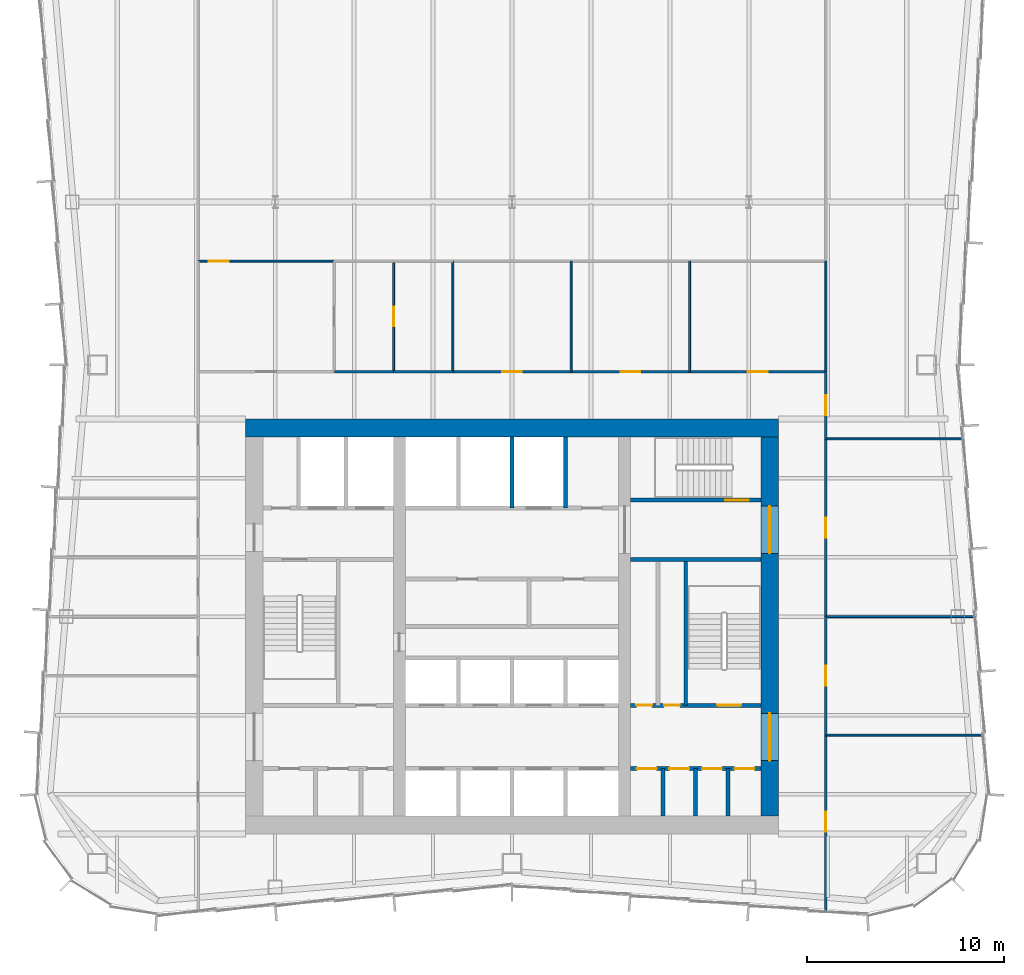
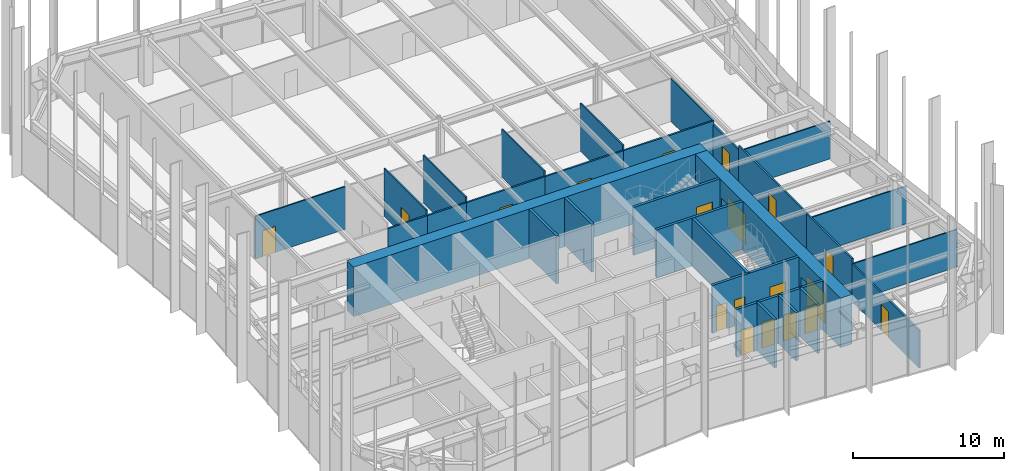
# One storey, part 11 of 13: 30 walls, 19 doors, 19 openings.
"""IFC4 building model written with IfcOpenShell, lengths in metres."""

from ifc_helpers import new_model, si_unit, direction, frame, frame_2d, origin, place, context, subcontext, project, spatial, rectangle, extrude, material, layer, layer_set, type_object, element, fill, save


model = new_model("IFC4")

# Units and contexts
model_context = context("Model", 3, precision=1e-05, world=origin(), true_north=direction((0.0, 1.0)))
body_context = subcontext(model_context, "Body", "Model", "MODEL_VIEW")
ifc_project = project(units=[si_unit("LENGTHUNIT", "METRE"), si_unit("AREAUNIT", "SQUARE_METRE"), si_unit("VOLUMEUNIT", "CUBIC_METRE"), si_unit("PLANEANGLEUNIT", "RADIAN"), si_unit("MASSUNIT", "GRAM", prefix="KILO")], contexts=[model_context])

# Site, building, storey
site_placement = place(None, origin())
site = spatial("IfcSite", under=ifc_project, at=site_placement, CompositionType="ELEMENT")
building_placement = place(site_placement, origin())
building = spatial("IfcBuilding", under=site, at=building_placement, Name="Verdant Reach Tower", CompositionType="ELEMENT")
storey_placement = place(building_placement, frame((0.0, 0.0, 194.0)))
storey = spatial("IfcBuildingStorey", under=building, at=storey_placement, Name="L44", CompositionType="ELEMENT", Elevation=194.0)

# Wall, openings, doors
ifc_material_1 = material(Name="Gypsum board on steel studs", Category="steel")
ifc_layer_1 = layer(ifc_material_1, 0.199951171875)
ifc_layer_set_1 = layer_set([ifc_layer_1], Name="CO-WALL-ROOM")
wall_type_1 = type_object("IfcWallType", Name="CO-WALL-ROOM", PredefinedType="PARTITIONING", material=ifc_layer_set_1)
wall_1_placement = place(storey_placement, frame((6.0, 20.800048828125, 0.0), z_axis=(0.0, 0.0, 1.0), x_axis=(1.0, 0.0, 0.0)))
wall_1 = element("IfcWall", 1, at=wall_1_placement, inside=storey, type_object=wall_type_1, Name="Core partition, L44", PredefinedType="PARTITIONING", context=body_context, shape_type="SweptSolid", body=[
    extrude(rectangle(XDim=6.60009765625, YDim=0.199951171875, at=frame_2d((3.300048828125, 0.0))), origin(), (0.0, 0.0, 1.0), 3.8701171875),
])
opening_1_placement = place(wall_1_placement, frame((0.324951171875, 0.0, 0.0)))
opening_1 = element("IfcOpeningElement", 2, at=opening_1_placement, cuts=wall_1, Name="Opening CD", PredefinedType="OPENING", context=body_context, shape_type="SweptSolid", body=[
    extrude(rectangle(XDim=1.0, YDim=2.10009765625, at=frame_2d((0.5, 1.050048828125))), frame((0.0, 0.10986328125, 0.0), z_axis=(0.0, -1.0, 0.0), x_axis=(1.0, 0.0, 0.0)), (0.0, 0.0, 1.0), 0.219970703125),
])
opening_2_placement = place(wall_1_placement, frame((1.97509765625, 0.0, 0.0)))
opening_2 = element("IfcOpeningElement", 3, at=opening_2_placement, cuts=wall_1, Name="Opening CD", PredefinedType="OPENING", context=body_context, shape_type="SweptSolid", body=[
    extrude(rectangle(XDim=1.0, YDim=2.10009765625, at=frame_2d((0.5, 1.050048828125))), frame((0.0, 0.10986328125, 0.0), z_axis=(0.0, -1.0, 0.0), x_axis=(1.0, 0.0, 0.0)), (0.0, 0.0, 1.0), 0.219970703125),
])
opening_3_placement = place(wall_1_placement, frame((3.625, 0.0, 0.0)))
opening_3 = element("IfcOpeningElement", 4, at=opening_3_placement, cuts=wall_1, Name="Opening CD", PredefinedType="OPENING", context=body_context, shape_type="SweptSolid", body=[
    extrude(rectangle(XDim=1.0, YDim=2.10009765625, at=frame_2d((0.5, 1.050048828125))), frame((0.0, 0.10986328125, 0.0), z_axis=(0.0, -1.0, 0.0), x_axis=(1.0, 0.0, 0.0)), (0.0, 0.0, 1.0), 0.219970703125),
])
opening_4_placement = place(wall_1_placement, frame((5.27490234375, 0.0, 0.0)))
opening_4 = element("IfcOpeningElement", 5, at=opening_4_placement, cuts=wall_1, Name="Opening CD", PredefinedType="OPENING", context=body_context, shape_type="SweptSolid", body=[
    extrude(rectangle(XDim=1.0, YDim=2.10009765625, at=frame_2d((0.5, 1.050048828125))), frame((0.0, 0.10986328125, 0.0), z_axis=(0.0, -1.0, 0.0), x_axis=(1.0, 0.0, 0.0)), (0.0, 0.0, 1.0), 0.219970703125),
])
ifc_material_2 = material(Name="Timber", Category="wood")
door_type_1 = type_object("IfcDoorType", Name="CO-DOOR-ROOM", OperationType="NOTDEFINED", PredefinedType="DOOR", material=ifc_material_2)
door_1_placement = place(opening_1_placement, origin())
door_1 = element("IfcDoor", 6, at=door_1_placement, inside=storey, type_object=door_type_1, Name="Core room door, L44", OperationType="SINGLE_SWING_LEFT", OverallHeight=2.10009765625, OverallWidth=1.0, PredefinedType="DOOR", context=body_context, shape_type="SweptSolid", body=[
    extrude(rectangle(XDim=1.0, YDim=2.10009765625, at=frame_2d((0.5, 1.050048828125))), frame((0.0, 0.02490234375, 0.0), z_axis=(0.0, -1.0, 0.0), x_axis=(1.0, 0.0, 0.0)), (0.0, 0.0, 1.0), 0.050048828125),
])
fill(opening_1, door_1)
door_2_placement = place(opening_2_placement, origin())
door_2 = element("IfcDoor", 7, at=door_2_placement, inside=storey, type_object=door_type_1, Name="Core room door, L44", OperationType="SINGLE_SWING_LEFT", OverallHeight=2.10009765625, OverallWidth=1.0, PredefinedType="DOOR", context=body_context, shape_type="SweptSolid", body=[
    extrude(rectangle(XDim=1.0, YDim=2.10009765625, at=frame_2d((0.5, 1.050048828125))), frame((0.0, 0.02490234375, 0.0), z_axis=(0.0, -1.0, 0.0), x_axis=(1.0, 0.0, 0.0)), (0.0, 0.0, 1.0), 0.050048828125),
])
fill(opening_2, door_2)
door_3_placement = place(opening_3_placement, origin())
door_3 = element("IfcDoor", 8, at=door_3_placement, inside=storey, type_object=door_type_1, Name="Core room door, L44", OperationType="SINGLE_SWING_RIGHT", OverallHeight=2.10009765625, OverallWidth=1.0, PredefinedType="DOOR", context=body_context, shape_type="SweptSolid", body=[
    extrude(rectangle(XDim=1.0, YDim=2.10009765625, at=frame_2d((0.5, 1.050048828125))), frame((0.0, 0.02490234375, 0.0), z_axis=(0.0, -1.0, 0.0), x_axis=(1.0, 0.0, 0.0)), (0.0, 0.0, 1.0), 0.050048828125),
])
fill(opening_3, door_3)
door_4_placement = place(opening_4_placement, origin())
door_4 = element("IfcDoor", 9, at=door_4_placement, inside=storey, type_object=door_type_1, Name="Core room door, L44", OperationType="SINGLE_SWING_RIGHT", OverallHeight=2.10009765625, OverallWidth=1.0, PredefinedType="DOOR", context=body_context, shape_type="SweptSolid", body=[
    extrude(rectangle(XDim=1.0, YDim=2.10009765625, at=frame_2d((0.5, 1.050048828125))), frame((0.0, 0.02490234375, 0.0), z_axis=(0.0, -1.0, 0.0), x_axis=(1.0, 0.0, 0.0)), (0.0, 0.0, 1.0), 0.050048828125),
])
fill(opening_4, door_4)

# Walls
for number, where, z_axis, x_axis, name in (
    (10, (7.64990234375, 18.39990234375, 0.0), (0.0, 0.0, 1.0), (0.0, 1.0, 0.0), "Core partition, L44"),
    (11, (9.300048828125, 18.39990234375, 0.0), (0.0, 0.0, 1.0), (0.0, 1.0, 0.0), "Core partition, L44"),
    (12, (10.949951171875, 18.39990234375, 0.0), (0.0, 0.0, 1.0), (0.0, 1.0, 0.0), "Core partition, L44"),
):
    element("IfcWall", number, at=place(storey_placement, frame(where, z_axis=z_axis, x_axis=x_axis)), inside=storey, type_object=wall_type_1, Name=name, PredefinedType="PARTITIONING", context=body_context, shape_type="SweptSolid", body=[
        extrude(rectangle(XDim=2.400146484375, YDim=0.199951171875, at=frame_2d((1.2001953125, 0.0))), origin(), (0.0, 0.0, 1.0), 3.8701171875),
    ])
ifc_material_3 = material(Name="Concrete C40/50", Category="concrete")
ifc_layer_2 = layer(ifc_material_3, 0.199951171875)
ifc_layer_set_2 = layer_set([ifc_layer_2], Name="CO-WALL-SHAFT")
wall_type_2 = type_object("IfcWallType", Name="CO-WALL-SHAFT", PredefinedType="PARTITIONING", material=ifc_layer_set_2)
for number, where, z_axis, x_axis, name in (
    (13, (0.0, 34.0, 0.0), (0.0, 0.0, 1.0), (0.0, 1.0, 0.0), "Lift shaft wall, L44"),
    (14, (2.699951171875, 34.0, 0.0), (0.0, 0.0, 1.0), (0.0, 1.0, 0.0), "Lift shaft wall, L44"),
):
    element("IfcWall", number, at=place(storey_placement, frame(where, z_axis=z_axis, x_axis=x_axis)), inside=storey, type_object=wall_type_2, Name=name, PredefinedType="PARTITIONING", context=body_context, shape_type="SweptSolid", body=[
        extrude(rectangle(XDim=3.60009765625, YDim=0.199951171875, at=frame_2d((1.800048828125, 0.0))), origin(), (0.0, 0.0, 1.0), 3.8701171875),
    ])

# Wall, openings, doors
ifc_layer_3 = layer(ifc_material_3, 0.199951171875)
ifc_layer_set_3 = layer_set([ifc_layer_3], Name="CO-WALL-STAIR")
wall_type_3 = type_object("IfcWallType", Name="CO-WALL-STAIR", PredefinedType="PARTITIONING", material=ifc_layer_set_3)
wall_2_placement = place(storey_placement, frame((6.0, 24.0, 0.0), z_axis=(0.0, 0.0, 1.0), x_axis=(1.0, 0.0, 0.0)))
wall_2 = element("IfcWall", 15, at=wall_2_placement, inside=storey, type_object=wall_type_3, Name="Stair enclosure wall, L44", PredefinedType="PARTITIONING", context=body_context, shape_type="SweptSolid", body=[
    extrude(rectangle(XDim=6.60009765625, YDim=0.199951171875, at=frame_2d((3.300048828125, 0.0))), origin(), (0.0, 0.0, 1.0), 3.8701171875),
])
opening_5_placement = place(wall_2_placement, frame((0.300048828125, 0.0, 0.0)))
opening_5 = element("IfcOpeningElement", 16, at=opening_5_placement, cuts=wall_2, Name="Opening CDN", PredefinedType="OPENING", context=body_context, shape_type="SweptSolid", body=[
    extrude(rectangle(XDim=0.800048828125, YDim=2.10009765625, at=frame_2d((0.39990234375, 1.050048828125))), frame((0.0, 0.10986328125, 0.0), z_axis=(0.0, -1.0, 0.0), x_axis=(1.0, 0.0, 0.0)), (0.0, 0.0, 1.0), 0.219970703125),
])
opening_6_placement = place(wall_2_placement, frame((1.699951171875, 0.0, 0.0)))
opening_6 = element("IfcOpeningElement", 17, at=opening_6_placement, cuts=wall_2, Name="Opening CDN", PredefinedType="OPENING", context=body_context, shape_type="SweptSolid", body=[
    extrude(rectangle(XDim=0.800048828125, YDim=2.10009765625, at=frame_2d((0.39990234375, 1.050048828125))), frame((0.0, 0.10986328125, 0.0), z_axis=(0.0, -1.0, 0.0), x_axis=(1.0, 0.0, 0.0)), (0.0, 0.0, 1.0), 0.219970703125),
])
opening_7_placement = place(wall_2_placement, frame((4.39990234375, 0.0, 0.0)))
opening_7 = element("IfcOpeningElement", 18, at=opening_7_placement, cuts=wall_2, Name="Opening SD", PredefinedType="OPENING", context=body_context, shape_type="SweptSolid", body=[
    extrude(rectangle(XDim=1.199951171875, YDim=2.199951171875, at=frame_2d((0.60009765625, 1.10009765625))), frame((0.0, 0.10986328125, 0.0), z_axis=(0.0, -1.0, 0.0), x_axis=(1.0, 0.0, 0.0)), (0.0, 0.0, 1.0), 0.219970703125),
])
door_type_2 = type_object("IfcDoorType", Name="CO-DOOR-ROOM-NARROW", OperationType="NOTDEFINED", PredefinedType="DOOR", material=ifc_material_2)
door_5_placement = place(opening_5_placement, origin())
door_5 = element("IfcDoor", 19, at=door_5_placement, inside=storey, type_object=door_type_2, Name="Core room door, L44", OperationType="SINGLE_SWING_LEFT", OverallHeight=2.10009765625, OverallWidth=0.800048828125, PredefinedType="DOOR", context=body_context, shape_type="SweptSolid", body=[
    extrude(rectangle(XDim=0.800048828125, YDim=2.10009765625, at=frame_2d((0.39990234375, 1.050048828125))), frame((0.0, 0.02490234375, 0.0), z_axis=(0.0, -1.0, 0.0), x_axis=(1.0, 0.0, 0.0)), (0.0, 0.0, 1.0), 0.050048828125),
])
fill(opening_5, door_5)
door_6_placement = place(opening_6_placement, origin())
door_6 = element("IfcDoor", 20, at=door_6_placement, inside=storey, type_object=door_type_2, Name="Core room door, L44", OperationType="SINGLE_SWING_RIGHT", OverallHeight=2.10009765625, OverallWidth=0.800048828125, PredefinedType="DOOR", context=body_context, shape_type="SweptSolid", body=[
    extrude(rectangle(XDim=0.800048828125, YDim=2.10009765625, at=frame_2d((0.39990234375, 1.050048828125))), frame((0.0, 0.02490234375, 0.0), z_axis=(0.0, -1.0, 0.0), x_axis=(1.0, 0.0, 0.0)), (0.0, 0.0, 1.0), 0.050048828125),
])
fill(opening_6, door_6)
ifc_material_4 = material(Name="Steel", Category="steel")
door_type_3 = type_object("IfcDoorType", Name="CO-DOOR-STAIR", OperationType="NOTDEFINED", PredefinedType="DOOR", material=ifc_material_4)
door_7_placement = place(opening_7_placement, origin())
door_7 = element("IfcDoor", 21, at=door_7_placement, inside=storey, type_object=door_type_3, Name="Stair door, L44", OperationType="SINGLE_SWING_LEFT", OverallHeight=2.199951171875, OverallWidth=1.199951171875, PredefinedType="DOOR", context=body_context, shape_type="SweptSolid", body=[
    extrude(rectangle(XDim=1.199951171875, YDim=2.199951171875, at=frame_2d((0.60009765625, 1.10009765625))), frame((0.0, 0.02490234375, 0.0), z_axis=(0.0, -1.0, 0.0), x_axis=(1.0, 0.0, 0.0)), (0.0, 0.0, 1.0), 0.050048828125),
])
fill(opening_7, door_7)

# Wall
wall_3_placement = place(storey_placement, frame((6.0, 31.39990234375, 0.0), z_axis=(0.0, 0.0, 1.0), x_axis=(1.0, 0.0, 0.0)))
element("IfcWall", 22, at=wall_3_placement, inside=storey, type_object=wall_type_3, Name="Stair enclosure wall, L44", PredefinedType="PARTITIONING", context=body_context, shape_type="SweptSolid", body=[
    extrude(rectangle(XDim=6.60009765625, YDim=0.199951171875, at=frame_2d((3.300048828125, 0.0))), origin(), (0.0, 0.0, 1.0), 3.8701171875),
])

# Wall, opening, door
wall_4_placement = place(storey_placement, frame((6.0, 34.39990234375, 0.0), z_axis=(0.0, 0.0, 1.0), x_axis=(1.0, 0.0, 0.0)))
wall_4 = element("IfcWall", 23, at=wall_4_placement, inside=storey, type_object=wall_type_3, Name="Stair enclosure wall, L44", PredefinedType="PARTITIONING", context=body_context, shape_type="SweptSolid", body=[
    extrude(rectangle(XDim=6.60009765625, YDim=0.199951171875, at=frame_2d((3.300048828125, 0.0))), origin(), (0.0, 0.0, 1.0), 3.8701171875),
])
opening_8_placement = place(wall_4_placement, frame((4.800048828125, 0.0, 0.0)))
opening_8 = element("IfcOpeningElement", 24, at=opening_8_placement, cuts=wall_4, Name="Opening SD", PredefinedType="OPENING", context=body_context, shape_type="SweptSolid", body=[
    extrude(rectangle(XDim=1.199951171875, YDim=2.199951171875, at=frame_2d((0.60009765625, 1.10009765625))), frame((0.0, 0.10986328125, 0.0), z_axis=(0.0, -1.0, 0.0), x_axis=(1.0, 0.0, 0.0)), (0.0, 0.0, 1.0), 0.219970703125),
])
door_8_placement = place(opening_8_placement, origin())
door_8 = element("IfcDoor", 25, at=door_8_placement, inside=storey, type_object=door_type_3, Name="Stair door, L44", OperationType="SINGLE_SWING_RIGHT", OverallHeight=2.199951171875, OverallWidth=1.199951171875, PredefinedType="DOOR", context=body_context, shape_type="SweptSolid", body=[
    extrude(rectangle(XDim=1.199951171875, YDim=2.199951171875, at=frame_2d((0.60009765625, 1.10009765625))), frame((0.0, 0.02490234375, 0.0), z_axis=(0.0, -1.0, 0.0), x_axis=(1.0, 0.0, 0.0)), (0.0, 0.0, 1.0), 0.050048828125),
])
fill(opening_8, door_8)

# Wall
wall_5_placement = place(storey_placement, frame((8.800048828125, 24.0, 0.0), z_axis=(0.0, 0.0, 1.0), x_axis=(0.0, 1.0, 0.0)))
element("IfcWall", 26, at=wall_5_placement, inside=storey, type_object=wall_type_3, Name="Stair enclosure wall, L44", PredefinedType="PARTITIONING", context=body_context, shape_type="SweptSolid", body=[
    extrude(rectangle(XDim=7.39990234375, YDim=0.199951171875, at=frame_2d((3.699951171875, 0.0))), origin(), (0.0, 0.0, 1.0), 3.8701171875),
])

# Wall, opening, door
ifc_layer_4 = layer(ifc_material_1, 0.10009765625)
ifc_layer_set_4 = layer_set([ifc_layer_4], Name="FL-W1 Partition 100")
wall_type_4 = type_object("IfcWallType", Name="FL-W1 Partition 100", PredefinedType="PARTITIONING", material=ifc_layer_set_4)
wall_6_placement = place(storey_placement, frame((-15.89990234375, 46.5, 0.0), z_axis=(0.0, 0.0, 1.0), x_axis=(1.0, 0.0, 0.0)))
wall_6 = element("IfcWall", 27, at=wall_6_placement, inside=storey, type_object=wall_type_4, Name="Partition 44.17", PredefinedType="PARTITIONING", context=body_context, shape_type="SweptSolid", body=[
    extrude(rectangle(XDim=6.90380859375, YDim=0.10009765625, at=frame_2d((3.451904296875, 0.0))), origin(), (0.0, 0.0, 1.0), 3.43994140625),
])
opening_9_placement = place(wall_6_placement, frame((0.552001953125, 0.0, 0.0)))
opening_9 = element("IfcOpeningElement", 28, at=opening_9_placement, cuts=wall_6, Name="Opening D3", PredefinedType="OPENING", context=body_context, shape_type="SweptSolid", body=[
    extrude(rectangle(XDim=1.0, YDim=2.10009765625, at=frame_2d((0.5, 1.050048828125))), frame((0.0, 0.06005859375, 0.0), z_axis=(0.0, -1.0, 0.0), x_axis=(1.0, 0.0, 0.0)), (0.0, 0.0, 1.0), 0.1201171875),
])
ifc_material_5 = material(Name="Painted timber door leaf", Category="wood")
door_type_4 = type_object("IfcDoorType", Name="FL-D3 Door 1000x2100", OperationType="NOTDEFINED", PredefinedType="DOOR", material=ifc_material_5)
door_9_placement = place(opening_9_placement, origin())
door_9 = element("IfcDoor", 29, at=door_9_placement, inside=storey, type_object=door_type_4, Name="Door 44-015", OperationType="SINGLE_SWING_LEFT", OverallHeight=2.10009765625, OverallWidth=1.0, PredefinedType="DOOR", context=body_context, shape_type="SweptSolid", body=[
    extrude(rectangle(XDim=1.0, YDim=2.10009765625, at=frame_2d((0.5, 1.050048828125))), frame((0.0, 0.02490234375, 0.0), z_axis=(0.0, -1.0, 0.0), x_axis=(1.0, 0.0, 0.0)), (0.0, 0.0, 1.0), 0.050048828125),
])
fill(opening_9, door_9)

wall_7_placement = place(storey_placement, frame((-6.0, 46.5, 0.0), z_axis=(0.0, 0.0, 1.0), x_axis=(0.0, -1.0, 0.0)))
wall_7 = element("IfcWall", 30, at=wall_7_placement, inside=storey, type_object=wall_type_4, Name="Partition 44.19", PredefinedType="PARTITIONING", context=body_context, shape_type="SweptSolid", body=[
    extrude(rectangle(XDim=5.60009765625, YDim=0.10009765625, at=frame_2d((2.800048828125, 0.0))), origin(), (0.0, 0.0, 1.0), 3.8701171875),
])
opening_10_placement = place(wall_7_placement, frame((2.300048828125, 0.0, 0.0)))
opening_10 = element("IfcOpeningElement", 31, at=opening_10_placement, cuts=wall_7, Name="Opening D3", PredefinedType="OPENING", context=body_context, shape_type="SweptSolid", body=[
    extrude(rectangle(XDim=1.0, YDim=2.10009765625, at=frame_2d((0.5, 1.050048828125))), frame((0.0, 0.06005859375, 0.0), z_axis=(0.0, -1.0, 0.0), x_axis=(1.0, 0.0, 0.0)), (0.0, 0.0, 1.0), 0.1201171875),
])
door_10_placement = place(opening_10_placement, origin())
door_10 = element("IfcDoor", 32, at=door_10_placement, inside=storey, type_object=door_type_4, Name="Door 44-016", OperationType="SINGLE_SWING_RIGHT", OverallHeight=2.10009765625, OverallWidth=1.0, PredefinedType="DOOR", context=body_context, shape_type="SweptSolid", body=[
    extrude(rectangle(XDim=1.0, YDim=2.10009765625, at=frame_2d((0.5, 1.050048828125))), frame((0.0, 0.02490234375, 0.0), z_axis=(0.0, -1.0, 0.0), x_axis=(1.0, 0.0, 0.0)), (0.0, 0.0, 1.0), 0.050048828125),
])
fill(opening_10, door_10)

# Walls
for number, where, z_axis, x_axis, name in (
    (33, (-3.0, 40.89990234375, 0.0), (0.0, 0.0, 1.0), (0.0, 1.0, 0.0), "Partition 44.21"),
    (34, (3.0, 40.89990234375, 0.0), (0.0, 0.0, 1.0), (0.0, 1.0, 0.0), "Partition 44.23"),
    (35, (9.0, 40.89990234375, 0.0), (0.0, 0.0, 1.0), (0.0, 1.0, 0.0), "Partition 44.25"),
):
    element("IfcWall", number, at=place(storey_placement, frame(where, z_axis=z_axis, x_axis=x_axis)), inside=storey, type_object=wall_type_4, Name=name, PredefinedType="PARTITIONING", context=body_context, shape_type="SweptSolid", body=[
        extrude(rectangle(XDim=5.60009765625, YDim=0.10009765625, at=frame_2d((2.800048828125, 0.0))), origin(), (0.0, 0.0, 1.0), 3.8701171875),
    ])
wall_8_placement = place(storey_placement, frame((15.89990234375, 40.89599609375, 0.0), z_axis=(0.0, 0.0, 1.0), x_axis=(0.0, 1.0, 0.0)))
element("IfcWall", 36, at=wall_8_placement, inside=storey, type_object=wall_type_4, Name="Partition 44.28", PredefinedType="PARTITIONING", context=body_context, shape_type="SweptSolid", body=[
    extrude(rectangle(XDim=5.60791015625, YDim=0.10009765625, at=frame_2d((2.803955078125, 0.0))), origin(), (0.0, 0.0, 1.0), 3.43994140625),
])
wall_9_placement = place(storey_placement, frame((23.873046875, 22.5, 0.0), z_axis=(0.0, 0.0, 1.0), x_axis=(-1.0, 0.0, 0.0)))
element("IfcWall", 37, at=wall_9_placement, inside=storey, type_object=wall_type_4, Name="Partition 44.44", PredefinedType="PARTITIONING", context=body_context, shape_type="SweptSolid", body=[
    extrude(rectangle(XDim=7.97314453125, YDim=0.10009765625, at=frame_2d((3.986572265625, 0.0))), origin(), (0.0, 0.0, 1.0), 3.0400390625),
])
wall_10_placement = place(storey_placement, frame((23.459228515625, 28.5, 0.0), z_axis=(0.0, 0.0, 1.0), x_axis=(-1.0, 0.0, 0.0)))
element("IfcWall", 38, at=wall_10_placement, inside=storey, type_object=wall_type_4, Name="Partition 44.45", PredefinedType="PARTITIONING", context=body_context, shape_type="SweptSolid", body=[
    extrude(rectangle(XDim=7.559326171875, YDim=0.10009765625, at=frame_2d((3.77978515625, 0.0))), origin(), (0.0, 0.0, 1.0), 3.0400390625),
])
wall_11_placement = place(storey_placement, frame((22.838623046875, 37.5, 0.0), z_axis=(0.0, 0.0, 1.0), x_axis=(-1.0, 0.0, 0.0)))
element("IfcWall", 39, at=wall_11_placement, inside=storey, type_object=wall_type_4, Name="Partition 44.46", PredefinedType="PARTITIONING", context=body_context, shape_type="SweptSolid", body=[
    extrude(rectangle(XDim=6.938720703125, YDim=0.10009765625, at=frame_2d((3.46923828125, 0.0))), origin(), (0.0, 0.0, 1.0), 3.0400390625),
])
ifc_material_6 = material(Name="Gypsum board on steel studs, fire rated", Category="steel")
ifc_layer_5 = layer(ifc_material_6, 0.125)
ifc_layer_set_5 = layer_set([ifc_layer_5], Name="FL-W2 Corridor wall 125")
wall_type_5 = type_object("IfcWallType", Name="FL-W2 Corridor wall 125", PredefinedType="PARTITIONING", material=ifc_layer_set_5)
for number, where, z_axis, x_axis, name in (
    (40, (-6.0, 40.89990234375, 0.0), (0.0, 0.0, 1.0), (-1.0, 0.0, 0.0), "Partition 44.02"),
    (41, (-3.0, 40.89990234375, 0.0), (0.0, 0.0, 1.0), (-1.0, 0.0, 0.0), "Partition 44.03"),
):
    element("IfcWall", number, at=place(storey_placement, frame(where, z_axis=z_axis, x_axis=x_axis)), inside=storey, type_object=wall_type_5, Name=name, PredefinedType="PARTITIONING", context=body_context, shape_type="SweptSolid", body=[
        extrude(rectangle(XDim=3.0, YDim=0.125, at=frame_2d((1.5, 0.0))), origin(), (0.0, 0.0, 1.0), 3.43994140625),
    ])

# Wall, opening, door
wall_12_placement = place(storey_placement, frame((-3.0, 40.89990234375, 0.0), z_axis=(0.0, 0.0, 1.0), x_axis=(1.0, 0.0, 0.0)))
wall_12 = element("IfcWall", 42, at=wall_12_placement, inside=storey, type_object=wall_type_5, Name="Partition 44.04", PredefinedType="PARTITIONING", context=body_context, shape_type="SweptSolid", body=[
    extrude(rectangle(XDim=6.0, YDim=0.125, at=frame_2d((3.0, 0.0))), origin(), (0.0, 0.0, 1.0), 3.43994140625),
])
opening_11_placement = place(wall_12_placement, frame((2.5, 0.0, 0.0)))
opening_11 = element("IfcOpeningElement", 43, at=opening_11_placement, cuts=wall_12, Name="Opening D2", PredefinedType="OPENING", context=body_context, shape_type="SweptSolid", body=[
    extrude(rectangle(XDim=1.0, YDim=2.10009765625, at=frame_2d((0.5, 1.050048828125))), frame((0.0, 0.072509765625, 0.0), z_axis=(0.0, -1.0, 0.0), x_axis=(1.0, 0.0, 0.0)), (0.0, 0.0, 1.0), 0.14501953125),
])
ifc_material_7 = material(Name="Timber door leaf, fire rated", Category="wood")
door_type_5 = type_object("IfcDoorType", Name="FL-D2 Entrance door 1000x2100 FD30", OperationType="NOTDEFINED", PredefinedType="DOOR", material=ifc_material_7)
door_11_placement = place(opening_11_placement, origin())
door_11 = element("IfcDoor", 44, at=door_11_placement, inside=storey, type_object=door_type_5, Name="Door 44-002", OperationType="SINGLE_SWING_RIGHT", OverallHeight=2.10009765625, OverallWidth=1.0, PredefinedType="DOOR", context=body_context, shape_type="SweptSolid", body=[
    extrude(rectangle(XDim=1.0, YDim=2.10009765625, at=frame_2d((0.5, 1.050048828125))), frame((0.0, 0.02490234375, 0.0), z_axis=(0.0, -1.0, 0.0), x_axis=(1.0, 0.0, 0.0)), (0.0, 0.0, 1.0), 0.050048828125),
])
fill(opening_11, door_11)

wall_13_placement = place(storey_placement, frame((3.0, 40.89990234375, 0.0), z_axis=(0.0, 0.0, 1.0), x_axis=(1.0, 0.0, 0.0)))
wall_13 = element("IfcWall", 45, at=wall_13_placement, inside=storey, type_object=wall_type_5, Name="Partition 44.05", PredefinedType="PARTITIONING", context=body_context, shape_type="SweptSolid", body=[
    extrude(rectangle(XDim=6.0, YDim=0.125, at=frame_2d((3.0, 0.0))), origin(), (0.0, 0.0, 1.0), 3.43994140625),
])
opening_12_placement = place(wall_13_placement, frame((2.5, 0.0, 0.0)))
opening_12 = element("IfcOpeningElement", 46, at=opening_12_placement, cuts=wall_13, Name="Opening D2", PredefinedType="OPENING", context=body_context, shape_type="SweptSolid", body=[
    extrude(rectangle(XDim=1.0, YDim=2.10009765625, at=frame_2d((0.5, 1.050048828125))), frame((0.0, 0.072509765625, 0.0), z_axis=(0.0, -1.0, 0.0), x_axis=(1.0, 0.0, 0.0)), (0.0, 0.0, 1.0), 0.14501953125),
])
door_12_placement = place(opening_12_placement, origin())
door_12 = element("IfcDoor", 47, at=door_12_placement, inside=storey, type_object=door_type_5, Name="Door 44-003", OperationType="SINGLE_SWING_LEFT", OverallHeight=2.10009765625, OverallWidth=1.0, PredefinedType="DOOR", context=body_context, shape_type="SweptSolid", body=[
    extrude(rectangle(XDim=1.0, YDim=2.10009765625, at=frame_2d((0.5, 1.050048828125))), frame((0.0, 0.02490234375, 0.0), z_axis=(0.0, -1.0, 0.0), x_axis=(1.0, 0.0, 0.0)), (0.0, 0.0, 1.0), 0.050048828125),
])
fill(opening_12, door_12)

wall_14_placement = place(storey_placement, frame((9.0, 40.89990234375, 0.0), z_axis=(0.0, 0.0, 1.0), x_axis=(1.0, 0.0, 0.0)))
wall_14 = element("IfcWall", 48, at=wall_14_placement, inside=storey, type_object=wall_type_5, Name="Partition 44.06", PredefinedType="PARTITIONING", context=body_context, shape_type="SweptSolid", body=[
    extrude(rectangle(XDim=6.89990234375, YDim=0.125, at=frame_2d((3.449951171875, 0.0))), origin(), (0.0, 0.0, 1.0), 3.43994140625),
])
opening_13_placement = place(wall_14_placement, frame((2.949951171875, 0.0, 0.0)))
opening_13 = element("IfcOpeningElement", 49, at=opening_13_placement, cuts=wall_14, Name="Opening D2", PredefinedType="OPENING", context=body_context, shape_type="SweptSolid", body=[
    extrude(rectangle(XDim=1.0, YDim=2.10009765625, at=frame_2d((0.5, 1.050048828125))), frame((0.0, 0.072509765625, 0.0), z_axis=(0.0, -1.0, 0.0), x_axis=(1.0, 0.0, 0.0)), (0.0, 0.0, 1.0), 0.14501953125),
])
door_13_placement = place(opening_13_placement, origin())
door_13 = element("IfcDoor", 50, at=door_13_placement, inside=storey, type_object=door_type_5, Name="Door 44-004", OperationType="SINGLE_SWING_RIGHT", OverallHeight=2.10009765625, OverallWidth=1.0, PredefinedType="DOOR", context=body_context, shape_type="SweptSolid", body=[
    extrude(rectangle(XDim=1.0, YDim=2.10009765625, at=frame_2d((0.5, 1.050048828125))), frame((0.0, 0.02490234375, 0.0), z_axis=(0.0, -1.0, 0.0), x_axis=(1.0, 0.0, 0.0)), (0.0, 0.0, 1.0), 0.050048828125),
])
fill(opening_13, door_13)

wall_15_placement = place(storey_placement, frame((15.89990234375, 22.5, 0.0), z_axis=(0.0, 0.0, 1.0), x_axis=(0.0, -1.0, 0.0)))
wall_15 = element("IfcWall", 51, at=wall_15_placement, inside=storey, type_object=wall_type_5, Name="Partition 44.12", PredefinedType="PARTITIONING", context=body_context, shape_type="SweptSolid", body=[
    extrude(rectangle(XDim=8.905029296875, YDim=0.125, at=frame_2d((4.45263671875, 0.0))), origin(), (0.0, 0.0, 1.0), 3.0400390625),
])
opening_14_placement = place(wall_15_placement, frame((3.887451171875, 0.0, 0.0)))
opening_14 = element("IfcOpeningElement", 52, at=opening_14_placement, cuts=wall_15, Name="Opening D2", PredefinedType="OPENING", context=body_context, shape_type="SweptSolid", body=[
    extrude(rectangle(XDim=1.0, YDim=2.10009765625, at=frame_2d((0.5, 1.050048828125))), frame((0.0, 0.072509765625, 0.0), z_axis=(0.0, -1.0, 0.0), x_axis=(1.0, 0.0, 0.0)), (0.0, 0.0, 1.0), 0.14501953125),
])
door_14_placement = place(opening_14_placement, origin())
door_14 = element("IfcDoor", 53, at=door_14_placement, inside=storey, type_object=door_type_5, Name="Door 44-010", OperationType="SINGLE_SWING_LEFT", OverallHeight=2.10009765625, OverallWidth=1.0, PredefinedType="DOOR", context=body_context, shape_type="SweptSolid", body=[
    extrude(rectangle(XDim=1.0, YDim=2.10009765625, at=frame_2d((0.5, 1.050048828125))), frame((0.0, 0.02490234375, 0.0), z_axis=(0.0, -1.0, 0.0), x_axis=(1.0, 0.0, 0.0)), (0.0, 0.0, 1.0), 0.050048828125),
])
fill(opening_14, door_14)

wall_16_placement = place(storey_placement, frame((15.89990234375, 28.5, 0.0), z_axis=(0.0, 0.0, 1.0), x_axis=(0.0, -1.0, 0.0)))
wall_16 = element("IfcWall", 54, at=wall_16_placement, inside=storey, type_object=wall_type_5, Name="Partition 44.13", PredefinedType="PARTITIONING", context=body_context, shape_type="SweptSolid", body=[
    extrude(rectangle(XDim=6.0, YDim=0.125, at=frame_2d((3.0, 0.0))), origin(), (0.0, 0.0, 1.0), 3.43994140625),
])
opening_15_placement = place(wall_16_placement, frame((2.5, 0.0, 0.0)))
opening_15 = element("IfcOpeningElement", 55, at=opening_15_placement, cuts=wall_16, Name="Opening D2", PredefinedType="OPENING", context=body_context, shape_type="SweptSolid", body=[
    extrude(rectangle(XDim=1.0, YDim=2.10009765625, at=frame_2d((0.5, 1.050048828125))), frame((0.0, 0.072509765625, 0.0), z_axis=(0.0, -1.0, 0.0), x_axis=(1.0, 0.0, 0.0)), (0.0, 0.0, 1.0), 0.14501953125),
])
door_15_placement = place(opening_15_placement, origin())
door_15 = element("IfcDoor", 56, at=door_15_placement, inside=storey, type_object=door_type_5, Name="Door 44-011", OperationType="SINGLE_SWING_LEFT", OverallHeight=2.10009765625, OverallWidth=1.0, PredefinedType="DOOR", context=body_context, shape_type="SweptSolid", body=[
    extrude(rectangle(XDim=1.0, YDim=2.10009765625, at=frame_2d((0.5, 1.050048828125))), frame((0.0, 0.02490234375, 0.0), z_axis=(0.0, -1.0, 0.0), x_axis=(1.0, 0.0, 0.0)), (0.0, 0.0, 1.0), 0.050048828125),
])
fill(opening_15, door_15)

wall_17_placement = place(storey_placement, frame((15.89990234375, 37.5, 0.0), z_axis=(0.0, 0.0, 1.0), x_axis=(0.0, -1.0, 0.0)))
wall_17 = element("IfcWall", 57, at=wall_17_placement, inside=storey, type_object=wall_type_5, Name="Partition 44.14", PredefinedType="PARTITIONING", context=body_context, shape_type="SweptSolid", body=[
    extrude(rectangle(XDim=9.0, YDim=0.125, at=frame_2d((4.5, 0.0))), origin(), (0.0, 0.0, 1.0), 3.47998046875),
])
opening_16_placement = place(wall_17_placement, frame((4.0, 0.0, 0.0)))
opening_16 = element("IfcOpeningElement", 58, at=opening_16_placement, cuts=wall_17, Name="Opening D2", PredefinedType="OPENING", context=body_context, shape_type="SweptSolid", body=[
    extrude(rectangle(XDim=1.0, YDim=2.10009765625, at=frame_2d((0.5, 1.050048828125))), frame((0.0, 0.072509765625, 0.0), z_axis=(0.0, -1.0, 0.0), x_axis=(1.0, 0.0, 0.0)), (0.0, 0.0, 1.0), 0.14501953125),
])
door_16_placement = place(opening_16_placement, origin())
door_16 = element("IfcDoor", 59, at=door_16_placement, inside=storey, type_object=door_type_5, Name="Door 44-012", OperationType="SINGLE_SWING_RIGHT", OverallHeight=2.10009765625, OverallWidth=1.0, PredefinedType="DOOR", context=body_context, shape_type="SweptSolid", body=[
    extrude(rectangle(XDim=1.0, YDim=2.10009765625, at=frame_2d((0.5, 1.050048828125))), frame((0.0, 0.02490234375, 0.0), z_axis=(0.0, -1.0, 0.0), x_axis=(1.0, 0.0, 0.0)), (0.0, 0.0, 1.0), 0.050048828125),
])
fill(opening_16, door_16)

wall_18_placement = place(storey_placement, frame((15.89990234375, 40.904052734375, 0.0), z_axis=(0.0, 0.0, 1.0), x_axis=(0.0, -1.0, 0.0)))
wall_18 = element("IfcWall", 60, at=wall_18_placement, inside=storey, type_object=wall_type_5, Name="Partition 44.15", PredefinedType="PARTITIONING", context=body_context, shape_type="SweptSolid", body=[
    extrude(rectangle(XDim=3.404052734375, YDim=0.125, at=frame_2d((1.7021484375, 0.0))), origin(), (0.0, 0.0, 1.0), 3.139892578125),
])
opening_17_placement = place(wall_18_placement, frame((1.201904296875, 0.0, 0.0)))
opening_17 = element("IfcOpeningElement", 61, at=opening_17_placement, cuts=wall_18, Name="Opening D2", PredefinedType="OPENING", context=body_context, shape_type="SweptSolid", body=[
    extrude(rectangle(XDim=1.0, YDim=2.10009765625, at=frame_2d((0.5, 1.050048828125))), frame((0.0, 0.072509765625, 0.0), z_axis=(0.0, -1.0, 0.0), x_axis=(1.0, 0.0, 0.0)), (0.0, 0.0, 1.0), 0.14501953125),
])
door_17_placement = place(opening_17_placement, origin())
door_17 = element("IfcDoor", 62, at=door_17_placement, inside=storey, type_object=door_type_5, Name="Door 44-013", OperationType="SINGLE_SWING_LEFT", OverallHeight=2.10009765625, OverallWidth=1.0, PredefinedType="DOOR", context=body_context, shape_type="SweptSolid", body=[
    extrude(rectangle(XDim=1.0, YDim=2.10009765625, at=frame_2d((0.5, 1.050048828125))), frame((0.0, 0.02490234375, 0.0), z_axis=(0.0, -1.0, 0.0), x_axis=(1.0, 0.0, 0.0)), (0.0, 0.0, 1.0), 0.050048828125),
])
fill(opening_17, door_17)

# Wall
ifc_material_8 = material(Name="Concrete C70/85", Category="concrete")
ifc_layer_6 = layer(ifc_material_8, 0.89990234375)
ifc_layer_set_6 = layer_set([ifc_layer_6], Name="ST-CORE-WALL-900")
wall_type_6 = type_object("IfcWallType", Name="ST-CORE-WALL-900", PredefinedType="SHEAR", material=ifc_layer_set_6)
wall_19_placement = place(storey_placement, frame((-13.5, 38.050048828125, -0.1298828125), z_axis=(0.0, 0.0, 1.0), x_axis=(1.0, 0.0, 0.0)))
element("IfcWall", 63, at=wall_19_placement, inside=storey, type_object=wall_type_6, Name="Core wall N, L44", PredefinedType="SHEAR", context=body_context, shape_type="SweptSolid", body=[
    extrude(rectangle(XDim=27.0, YDim=0.89990234375, at=frame_2d((13.5, 0.0))), origin(), (0.0, 0.0, 1.0), 4.0),
])

# Wall, openings, doors
wall_20_placement = place(storey_placement, frame((13.050048828125, 18.39990234375, -0.1298828125), z_axis=(0.0, 0.0, 1.0), x_axis=(0.0, 1.0, 0.0)))
wall_20 = element("IfcWall", 64, at=wall_20_placement, inside=storey, type_object=wall_type_6, Name="Core wall E, L44", PredefinedType="SHEAR", context=body_context, shape_type="SweptSolid", body=[
    extrude(rectangle(XDim=19.2001953125, YDim=0.89990234375, at=frame_2d((9.60009765625, 0.0))), origin(), (0.0, 0.0, 1.0), 4.0),
])
opening_18_placement = place(wall_20_placement, frame((2.800048828125, 0.0, 0.1298828125)))
opening_18 = element("IfcOpeningElement", 65, at=opening_18_placement, cuts=wall_20, Name="Opening LB", PredefinedType="OPENING", context=body_context, shape_type="SweptSolid", body=[
    extrude(rectangle(XDim=2.39990234375, YDim=2.39990234375, at=frame_2d((1.199951171875, 1.199951171875))), frame((0.0, 0.4599609375, 0.0), z_axis=(0.0, -1.0, 0.0), x_axis=(1.0, 0.0, 0.0)), (0.0, 0.0, 1.0), 0.919921875),
])
opening_19_placement = place(wall_20_placement, frame((13.300048828125, 0.0, 0.1298828125)))
opening_19 = element("IfcOpeningElement", 66, at=opening_19_placement, cuts=wall_20, Name="Opening LB", PredefinedType="OPENING", context=body_context, shape_type="SweptSolid", body=[
    extrude(rectangle(XDim=2.39990234375, YDim=2.39990234375, at=frame_2d((1.199951171875, 1.199951171875))), frame((0.0, 0.4599609375, 0.0), z_axis=(0.0, -1.0, 0.0), x_axis=(1.0, 0.0, 0.0)), (0.0, 0.0, 1.0), 0.919921875),
])
ifc_material_9 = material(Name="Glass and steel", Category="steel")
door_type_6 = type_object("IfcDoorType", Name="CO-DOOR-LOBBY", OperationType="DOUBLE_DOOR_SINGLE_SWING", PredefinedType="DOOR", material=ifc_material_9)
door_18_placement = place(opening_18_placement, origin())
door_18 = element("IfcDoor", 67, at=door_18_placement, inside=storey, type_object=door_type_6, Name="Core entrance door, L44", OperationType="DOUBLE_DOOR_SINGLE_SWING", OverallHeight=2.39990234375, OverallWidth=2.39990234375, PredefinedType="DOOR", context=body_context, shape_type="SweptSolid", body=[
    extrude(rectangle(XDim=2.39990234375, YDim=2.39990234375, at=frame_2d((1.199951171875, 1.199951171875))), frame((0.0, 0.02490234375, 0.0), z_axis=(0.0, -1.0, 0.0), x_axis=(1.0, 0.0, 0.0)), (0.0, 0.0, 1.0), 0.050048828125),
])
fill(opening_18, door_18)
door_19_placement = place(opening_19_placement, origin())
door_19 = element("IfcDoor", 68, at=door_19_placement, inside=storey, type_object=door_type_6, Name="Core entrance door, L44", OperationType="DOUBLE_DOOR_SINGLE_SWING", OverallHeight=2.39990234375, OverallWidth=2.39990234375, PredefinedType="DOOR", context=body_context, shape_type="SweptSolid", body=[
    extrude(rectangle(XDim=2.39990234375, YDim=2.39990234375, at=frame_2d((1.199951171875, 1.199951171875))), frame((0.0, 0.02490234375, 0.0), z_axis=(0.0, -1.0, 0.0), x_axis=(1.0, 0.0, 0.0)), (0.0, 0.0, 1.0), 0.050048828125),
])
fill(opening_19, door_19)

save(model, "model.ifc")
